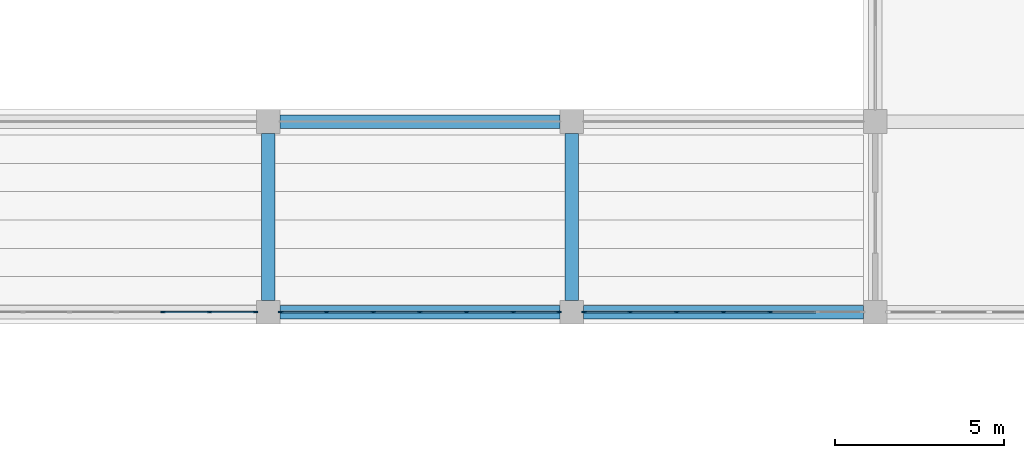
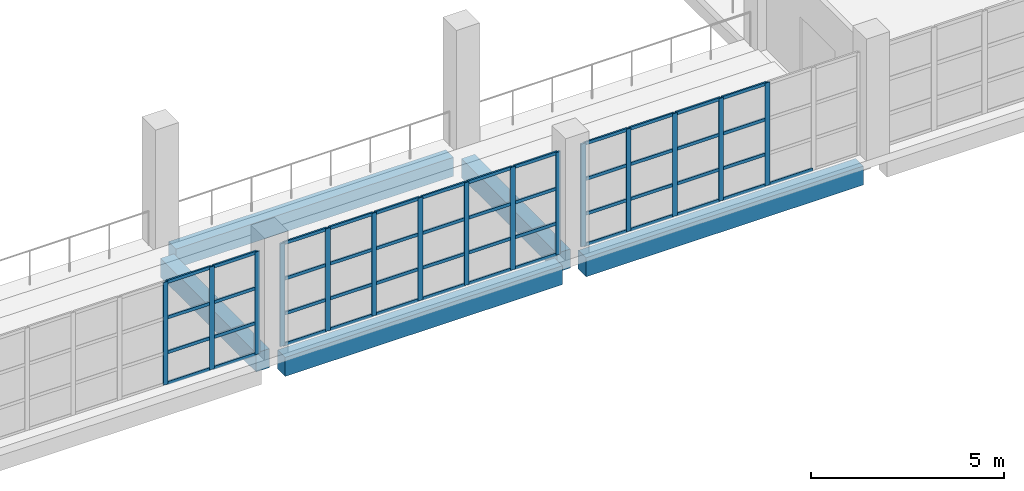
# One storey, part 5 of 36: 64 members, 5 beams, 3 elements without a shape of their own.
"""IFC4 building model written with IfcOpenShell, lengths in metres."""

from ifc_helpers import new_model, si_unit, direction, frame, origin, origin_2d, place, context, subcontext, project, spatial, rectangle, extrude, material, layer, layer_set, material_profile, profile_set, type_object, element, aggregate, save


model = new_model("IFC4")

# Units and contexts
model_context = context("Model", 3, precision=1e-05, world=origin(), true_north=direction((0.0, 1.0)))
body_context = subcontext(model_context, "Body", "Model", "MODEL_VIEW")
ifc_project = project(units=[si_unit("LENGTHUNIT", "METRE"), si_unit("AREAUNIT", "SQUARE_METRE"), si_unit("VOLUMEUNIT", "CUBIC_METRE"), si_unit("PLANEANGLEUNIT", "RADIAN"), si_unit("MASSUNIT", "GRAM", prefix="KILO")], contexts=[model_context])

# Site, building, storey
site_placement = place(None, origin())
site = spatial("IfcSite", under=ifc_project, at=site_placement, CompositionType="ELEMENT")
building_placement = place(site_placement, origin())
building = spatial("IfcBuilding", under=site, at=building_placement, Name="Corbel Stack Research Tower", CompositionType="ELEMENT")
storey_placement = place(building_placement, frame((0.0, 0.0, 7.199951171875)))
storey = spatial("IfcBuildingStorey", under=building, at=storey_placement, Name="L01", CompositionType="ELEMENT", Elevation=7.199951171875)

# Curtain wall, members
ifc_material_1 = material(Name="Aluminium", Category="aluminium")
ifc_layer = layer(ifc_material_1, 0.139892578125)
ifc_layer_set = layer_set([ifc_layer], Name="Aluminium")
curtain_wall_type = type_object("IfcCurtainWallType", Name="CW6 gallery curtain wall", PredefinedType="NOTDEFINED", material=ifc_layer_set)
curtain_wall_1_placement = place(storey_placement, origin())
curtain_wall_1 = element("IfcCurtainWall", 1, at=curtain_wall_1_placement, inside=storey, type_object=curtain_wall_type, Name="Gallery curtain wall L01 6", PredefinedType="NOTDEFINED")
ifc_material_2 = material(Name="Aluminium", Category="aluminium")
ifc_material_profile_1 = material_profile(ifc_material_2, rectangle(XDim=0.050048828125, YDim=0.139892578125, at=origin_2d()), Name="Mullion 50 x 140")
ifc_profile_set_1 = profile_set([ifc_material_profile_1], Name="Aluminium")
member_type_1 = type_object("IfcMemberType", Name="CW6 mullion 50 x 140", PredefinedType="MULLION", material=ifc_profile_set_1)
member_1_placement = place(storey_placement, frame((65.833251953125, -23.64990234375, 0.0), z_axis=(0.0, 0.0, 1.0), x_axis=(0.0, 1.0, 0.0)))
member_1 = element("IfcMember", 2, at=member_1_placement, type_object=member_type_1, Name="CW6 mullion 5", PredefinedType="MULLION", context=body_context, shape_type="SweptSolid", body=[
    extrude(rectangle(XDim=0.050048828125, YDim=0.139892578125, at=origin_2d()), origin(), (0.0, 0.0, 1.0), 3.25),
])
member_2_placement = place(storey_placement, frame((67.216552734375, -23.64990234375, 0.0), z_axis=(0.0, 0.0, 1.0), x_axis=(0.0, 1.0, 0.0)))
member_2 = element("IfcMember", 3, at=member_2_placement, type_object=member_type_1, Name="CW6 mullion 6", PredefinedType="MULLION", context=body_context, shape_type="SweptSolid", body=[
    extrude(rectangle(XDim=0.050048828125, YDim=0.139892578125, at=origin_2d()), origin(), (0.0, 0.0, 1.0), 3.25),
])
member_3_placement = place(storey_placement, frame((68.574951171875, -23.64990234375, 0.0), z_axis=(0.0, 0.0, 1.0), x_axis=(0.0, 1.0, 0.0)))
member_3 = element("IfcMember", 4, at=member_3_placement, type_object=member_type_1, Name="CW6 mullion 7", PredefinedType="MULLION", context=body_context, shape_type="SweptSolid", body=[
    extrude(rectangle(XDim=0.050048828125, YDim=0.139892578125, at=origin_2d()), origin(), (0.0, 0.0, 1.0), 3.25),
])

curtain_wall_2_placement = place(storey_placement, origin())
curtain_wall_2 = element("IfcCurtainWall", 5, at=curtain_wall_2_placement, inside=storey, type_object=curtain_wall_type, Name="Gallery curtain wall L01 7", PredefinedType="NOTDEFINED")
member_4_placement = place(storey_placement, frame((69.324951171875, -23.64990234375, 0.0), z_axis=(0.0, 0.0, 1.0), x_axis=(0.0, 1.0, 0.0)))
member_4 = element("IfcMember", 6, at=member_4_placement, type_object=member_type_1, Name="CW6 mullion 1", PredefinedType="MULLION", context=body_context, shape_type="SweptSolid", body=[
    extrude(rectangle(XDim=0.050048828125, YDim=0.139892578125, at=origin_2d()), origin(), (0.0, 0.0, 1.0), 3.25),
])
member_5_placement = place(storey_placement, frame((70.683349609375, -23.64990234375, 0.0), z_axis=(0.0, 0.0, 1.0), x_axis=(0.0, 1.0, 0.0)))
member_5 = element("IfcMember", 7, at=member_5_placement, type_object=member_type_1, Name="CW6 mullion 2", PredefinedType="MULLION", context=body_context, shape_type="SweptSolid", body=[
    extrude(rectangle(XDim=0.050048828125, YDim=0.139892578125, at=origin_2d()), origin(), (0.0, 0.0, 1.0), 3.25),
])
member_6_placement = place(storey_placement, frame((72.066650390625, -23.64990234375, 0.0), z_axis=(0.0, 0.0, 1.0), x_axis=(0.0, 1.0, 0.0)))
member_6 = element("IfcMember", 8, at=member_6_placement, type_object=member_type_1, Name="CW6 mullion 3", PredefinedType="MULLION", context=body_context, shape_type="SweptSolid", body=[
    extrude(rectangle(XDim=0.050048828125, YDim=0.139892578125, at=origin_2d()), origin(), (0.0, 0.0, 1.0), 3.25),
])
member_7_placement = place(storey_placement, frame((73.449951171875, -23.64990234375, 0.0), z_axis=(0.0, 0.0, 1.0), x_axis=(0.0, 1.0, 0.0)))
member_7 = element("IfcMember", 9, at=member_7_placement, type_object=member_type_1, Name="CW6 mullion 4", PredefinedType="MULLION", context=body_context, shape_type="SweptSolid", body=[
    extrude(rectangle(XDim=0.050048828125, YDim=0.139892578125, at=origin_2d()), origin(), (0.0, 0.0, 1.0), 3.25),
])
member_8_placement = place(storey_placement, frame((74.833251953125, -23.64990234375, 0.0), z_axis=(0.0, 0.0, 1.0), x_axis=(0.0, 1.0, 0.0)))
member_8 = element("IfcMember", 10, at=member_8_placement, type_object=member_type_1, Name="CW6 mullion 5", PredefinedType="MULLION", context=body_context, shape_type="SweptSolid", body=[
    extrude(rectangle(XDim=0.050048828125, YDim=0.139892578125, at=origin_2d()), origin(), (0.0, 0.0, 1.0), 3.25),
])
member_9_placement = place(storey_placement, frame((76.216552734375, -23.64990234375, 0.0), z_axis=(0.0, 0.0, 1.0), x_axis=(0.0, 1.0, 0.0)))
member_9 = element("IfcMember", 11, at=member_9_placement, type_object=member_type_1, Name="CW6 mullion 6", PredefinedType="MULLION", context=body_context, shape_type="SweptSolid", body=[
    extrude(rectangle(XDim=0.050048828125, YDim=0.139892578125, at=origin_2d()), origin(), (0.0, 0.0, 1.0), 3.25),
])
member_10_placement = place(storey_placement, frame((77.574951171875, -23.64990234375, 0.0), z_axis=(0.0, 0.0, 1.0), x_axis=(0.0, 1.0, 0.0)))
member_10 = element("IfcMember", 12, at=member_10_placement, type_object=member_type_1, Name="CW6 mullion 7", PredefinedType="MULLION", context=body_context, shape_type="SweptSolid", body=[
    extrude(rectangle(XDim=0.050048828125, YDim=0.139892578125, at=origin_2d()), origin(), (0.0, 0.0, 1.0), 3.25),
])

curtain_wall_3_placement = place(storey_placement, origin())
curtain_wall_3 = element("IfcCurtainWall", 13, at=curtain_wall_3_placement, inside=storey, type_object=curtain_wall_type, Name="Gallery curtain wall L01 8", PredefinedType="NOTDEFINED")
member_11_placement = place(storey_placement, frame((78.324951171875, -23.64990234375, 0.0), z_axis=(0.0, 0.0, 1.0), x_axis=(0.0, 1.0, 0.0)))
member_11 = element("IfcMember", 14, at=member_11_placement, type_object=member_type_1, Name="CW6 mullion 1", PredefinedType="MULLION", context=body_context, shape_type="SweptSolid", body=[
    extrude(rectangle(XDim=0.050048828125, YDim=0.139892578125, at=origin_2d()), origin(), (0.0, 0.0, 1.0), 3.25),
])
member_12_placement = place(storey_placement, frame((79.683349609375, -23.64990234375, 0.0), z_axis=(0.0, 0.0, 1.0), x_axis=(0.0, 1.0, 0.0)))
member_12 = element("IfcMember", 15, at=member_12_placement, type_object=member_type_1, Name="CW6 mullion 2", PredefinedType="MULLION", context=body_context, shape_type="SweptSolid", body=[
    extrude(rectangle(XDim=0.050048828125, YDim=0.139892578125, at=origin_2d()), origin(), (0.0, 0.0, 1.0), 3.25),
])
member_13_placement = place(storey_placement, frame((81.066650390625, -23.64990234375, 0.0), z_axis=(0.0, 0.0, 1.0), x_axis=(0.0, 1.0, 0.0)))
member_13 = element("IfcMember", 16, at=member_13_placement, type_object=member_type_1, Name="CW6 mullion 3", PredefinedType="MULLION", context=body_context, shape_type="SweptSolid", body=[
    extrude(rectangle(XDim=0.050048828125, YDim=0.139892578125, at=origin_2d()), origin(), (0.0, 0.0, 1.0), 3.25),
])
member_14_placement = place(storey_placement, frame((82.449951171875, -23.64990234375, 0.0), z_axis=(0.0, 0.0, 1.0), x_axis=(0.0, 1.0, 0.0)))
member_14 = element("IfcMember", 17, at=member_14_placement, type_object=member_type_1, Name="CW6 mullion 4", PredefinedType="MULLION", context=body_context, shape_type="SweptSolid", body=[
    extrude(rectangle(XDim=0.050048828125, YDim=0.139892578125, at=origin_2d()), origin(), (0.0, 0.0, 1.0), 3.25),
])
member_15_placement = place(storey_placement, frame((83.833251953125, -23.64990234375, 0.0), z_axis=(0.0, 0.0, 1.0), x_axis=(0.0, 1.0, 0.0)))
member_15 = element("IfcMember", 18, at=member_15_placement, type_object=member_type_1, Name="CW6 mullion 5", PredefinedType="MULLION", context=body_context, shape_type="SweptSolid", body=[
    extrude(rectangle(XDim=0.050048828125, YDim=0.139892578125, at=origin_2d()), origin(), (0.0, 0.0, 1.0), 3.25),
])

# Member
ifc_material_3 = material(Name="Aluminium", Category="aluminium")
ifc_material_profile_2 = material_profile(ifc_material_3, rectangle(XDim=0.050048828125, YDim=0.10009765625, at=origin_2d()), Name="Transom 50 x 100")
ifc_profile_set_2 = profile_set([ifc_material_profile_2], Name="Aluminium")
member_type_2 = type_object("IfcMemberType", Name="CW6 transom 50 x 100", PredefinedType="USERDEFINED", material=ifc_profile_set_2)
member_16_placement = place(storey_placement, frame((65.8583984375, -23.64990234375, 0.025146484375), z_axis=(1.0, 0.0, 0.0), x_axis=(0.0, 1.0, 0.0)))
member_16 = element("IfcMember", 19, at=member_16_placement, type_object=member_type_2, Name="CW6 transom 5.1", ObjectType="TRANSOM", PredefinedType="USERDEFINED", context=body_context, shape_type="SweptSolid", body=[
    extrude(rectangle(XDim=0.050048828125, YDim=0.10009765625, at=origin_2d()), origin(), (0.0, 0.0, 1.0), 1.333251953125),
])

member_17_placement = place(storey_placement, frame((65.8583984375, -23.64990234375, 1.0), z_axis=(1.0, 0.0, 0.0), x_axis=(0.0, 1.0, 0.0)))
member_17 = element("IfcMember", 20, at=member_17_placement, type_object=member_type_2, Name="CW6 transom 5.2", ObjectType="TRANSOM", PredefinedType="USERDEFINED", context=body_context, shape_type="SweptSolid", body=[
    extrude(rectangle(XDim=0.050048828125, YDim=0.10009765625, at=origin_2d()), origin(), (0.0, 0.0, 1.0), 1.333251953125),
])

member_18_placement = place(storey_placement, frame((65.8583984375, -23.64990234375, 2.10009765625), z_axis=(1.0, 0.0, 0.0), x_axis=(0.0, 1.0, 0.0)))
member_18 = element("IfcMember", 21, at=member_18_placement, type_object=member_type_2, Name="CW6 transom 5.3", ObjectType="TRANSOM", PredefinedType="USERDEFINED", context=body_context, shape_type="SweptSolid", body=[
    extrude(rectangle(XDim=0.050048828125, YDim=0.10009765625, at=origin_2d()), origin(), (0.0, 0.0, 1.0), 1.333251953125),
])

member_19_placement = place(storey_placement, frame((65.8583984375, -23.64990234375, 3.22509765625), z_axis=(1.0, 0.0, 0.0), x_axis=(0.0, 1.0, 0.0)))
member_19 = element("IfcMember", 22, at=member_19_placement, type_object=member_type_2, Name="CW6 transom 5.4", ObjectType="TRANSOM", PredefinedType="USERDEFINED", context=body_context, shape_type="SweptSolid", body=[
    extrude(rectangle(XDim=0.050048828125, YDim=0.10009765625, at=origin_2d()), origin(), (0.0, 0.0, 1.0), 1.333251953125),
])

member_20_placement = place(storey_placement, frame((67.24169921875, -23.64990234375, 0.025146484375), z_axis=(1.0, 0.0, 0.0), x_axis=(0.0, 1.0, 0.0)))
member_20 = element("IfcMember", 23, at=member_20_placement, type_object=member_type_2, Name="CW6 transom 6.1", ObjectType="TRANSOM", PredefinedType="USERDEFINED", context=body_context, shape_type="SweptSolid", body=[
    extrude(rectangle(XDim=0.050048828125, YDim=0.10009765625, at=origin_2d()), origin(), (0.0, 0.0, 1.0), 1.308349609375),
])

member_21_placement = place(storey_placement, frame((67.24169921875, -23.64990234375, 1.0), z_axis=(1.0, 0.0, 0.0), x_axis=(0.0, 1.0, 0.0)))
member_21 = element("IfcMember", 24, at=member_21_placement, type_object=member_type_2, Name="CW6 transom 6.2", ObjectType="TRANSOM", PredefinedType="USERDEFINED", context=body_context, shape_type="SweptSolid", body=[
    extrude(rectangle(XDim=0.050048828125, YDim=0.10009765625, at=origin_2d()), origin(), (0.0, 0.0, 1.0), 1.308349609375),
])

member_22_placement = place(storey_placement, frame((67.24169921875, -23.64990234375, 2.10009765625), z_axis=(1.0, 0.0, 0.0), x_axis=(0.0, 1.0, 0.0)))
member_22 = element("IfcMember", 25, at=member_22_placement, type_object=member_type_2, Name="CW6 transom 6.3", ObjectType="TRANSOM", PredefinedType="USERDEFINED", context=body_context, shape_type="SweptSolid", body=[
    extrude(rectangle(XDim=0.050048828125, YDim=0.10009765625, at=origin_2d()), origin(), (0.0, 0.0, 1.0), 1.308349609375),
])

member_23_placement = place(storey_placement, frame((67.24169921875, -23.64990234375, 3.22509765625), z_axis=(1.0, 0.0, 0.0), x_axis=(0.0, 1.0, 0.0)))
member_23 = element("IfcMember", 26, at=member_23_placement, type_object=member_type_2, Name="CW6 transom 6.4", ObjectType="TRANSOM", PredefinedType="USERDEFINED", context=body_context, shape_type="SweptSolid", body=[
    extrude(rectangle(XDim=0.050048828125, YDim=0.10009765625, at=origin_2d()), origin(), (0.0, 0.0, 1.0), 1.308349609375),
])

aggregate(curtain_wall_1, [member_1, member_2, member_3, member_16, member_17, member_18, member_19, member_20, member_21, member_22, member_23])

member_24_placement = place(storey_placement, frame((69.35009765625, -23.64990234375, 0.025146484375), z_axis=(1.0, 0.0, 0.0), x_axis=(0.0, 1.0, 0.0)))
member_24 = element("IfcMember", 27, at=member_24_placement, type_object=member_type_2, Name="CW6 transom 1.1", ObjectType="TRANSOM", PredefinedType="USERDEFINED", context=body_context, shape_type="SweptSolid", body=[
    extrude(rectangle(XDim=0.050048828125, YDim=0.10009765625, at=origin_2d()), origin(), (0.0, 0.0, 1.0), 1.308349609375),
])

member_25_placement = place(storey_placement, frame((69.35009765625, -23.64990234375, 1.0), z_axis=(1.0, 0.0, 0.0), x_axis=(0.0, 1.0, 0.0)))
member_25 = element("IfcMember", 28, at=member_25_placement, type_object=member_type_2, Name="CW6 transom 1.2", ObjectType="TRANSOM", PredefinedType="USERDEFINED", context=body_context, shape_type="SweptSolid", body=[
    extrude(rectangle(XDim=0.050048828125, YDim=0.10009765625, at=origin_2d()), origin(), (0.0, 0.0, 1.0), 1.308349609375),
])

member_26_placement = place(storey_placement, frame((69.35009765625, -23.64990234375, 2.10009765625), z_axis=(1.0, 0.0, 0.0), x_axis=(0.0, 1.0, 0.0)))
member_26 = element("IfcMember", 29, at=member_26_placement, type_object=member_type_2, Name="CW6 transom 1.3", ObjectType="TRANSOM", PredefinedType="USERDEFINED", context=body_context, shape_type="SweptSolid", body=[
    extrude(rectangle(XDim=0.050048828125, YDim=0.10009765625, at=origin_2d()), origin(), (0.0, 0.0, 1.0), 1.308349609375),
])

member_27_placement = place(storey_placement, frame((69.35009765625, -23.64990234375, 3.22509765625), z_axis=(1.0, 0.0, 0.0), x_axis=(0.0, 1.0, 0.0)))
member_27 = element("IfcMember", 30, at=member_27_placement, type_object=member_type_2, Name="CW6 transom 1.4", ObjectType="TRANSOM", PredefinedType="USERDEFINED", context=body_context, shape_type="SweptSolid", body=[
    extrude(rectangle(XDim=0.050048828125, YDim=0.10009765625, at=origin_2d()), origin(), (0.0, 0.0, 1.0), 1.308349609375),
])

member_28_placement = place(storey_placement, frame((70.708251953125, -23.64990234375, 0.025146484375), z_axis=(1.0, 0.0, 0.0), x_axis=(0.0, 1.0, 0.0)))
member_28 = element("IfcMember", 31, at=member_28_placement, type_object=member_type_2, Name="CW6 transom 2.1", ObjectType="TRANSOM", PredefinedType="USERDEFINED", context=body_context, shape_type="SweptSolid", body=[
    extrude(rectangle(XDim=0.050048828125, YDim=0.10009765625, at=origin_2d()), origin(), (0.0, 0.0, 1.0), 1.33349609375),
])

member_29_placement = place(storey_placement, frame((70.708251953125, -23.64990234375, 1.0), z_axis=(1.0, 0.0, 0.0), x_axis=(0.0, 1.0, 0.0)))
member_29 = element("IfcMember", 32, at=member_29_placement, type_object=member_type_2, Name="CW6 transom 2.2", ObjectType="TRANSOM", PredefinedType="USERDEFINED", context=body_context, shape_type="SweptSolid", body=[
    extrude(rectangle(XDim=0.050048828125, YDim=0.10009765625, at=origin_2d()), origin(), (0.0, 0.0, 1.0), 1.33349609375),
])

member_30_placement = place(storey_placement, frame((70.708251953125, -23.64990234375, 2.10009765625), z_axis=(1.0, 0.0, 0.0), x_axis=(0.0, 1.0, 0.0)))
member_30 = element("IfcMember", 33, at=member_30_placement, type_object=member_type_2, Name="CW6 transom 2.3", ObjectType="TRANSOM", PredefinedType="USERDEFINED", context=body_context, shape_type="SweptSolid", body=[
    extrude(rectangle(XDim=0.050048828125, YDim=0.10009765625, at=origin_2d()), origin(), (0.0, 0.0, 1.0), 1.33349609375),
])

member_31_placement = place(storey_placement, frame((70.708251953125, -23.64990234375, 3.22509765625), z_axis=(1.0, 0.0, 0.0), x_axis=(0.0, 1.0, 0.0)))
member_31 = element("IfcMember", 34, at=member_31_placement, type_object=member_type_2, Name="CW6 transom 2.4", ObjectType="TRANSOM", PredefinedType="USERDEFINED", context=body_context, shape_type="SweptSolid", body=[
    extrude(rectangle(XDim=0.050048828125, YDim=0.10009765625, at=origin_2d()), origin(), (0.0, 0.0, 1.0), 1.33349609375),
])

member_32_placement = place(storey_placement, frame((72.091552734375, -23.64990234375, 0.025146484375), z_axis=(1.0, 0.0, 0.0), x_axis=(0.0, 1.0, 0.0)))
member_32 = element("IfcMember", 35, at=member_32_placement, type_object=member_type_2, Name="CW6 transom 3.1", ObjectType="TRANSOM", PredefinedType="USERDEFINED", context=body_context, shape_type="SweptSolid", body=[
    extrude(rectangle(XDim=0.050048828125, YDim=0.10009765625, at=origin_2d()), origin(), (0.0, 0.0, 1.0), 1.33349609375),
])

member_33_placement = place(storey_placement, frame((72.091552734375, -23.64990234375, 1.0), z_axis=(1.0, 0.0, 0.0), x_axis=(0.0, 1.0, 0.0)))
member_33 = element("IfcMember", 36, at=member_33_placement, type_object=member_type_2, Name="CW6 transom 3.2", ObjectType="TRANSOM", PredefinedType="USERDEFINED", context=body_context, shape_type="SweptSolid", body=[
    extrude(rectangle(XDim=0.050048828125, YDim=0.10009765625, at=origin_2d()), origin(), (0.0, 0.0, 1.0), 1.33349609375),
])

member_34_placement = place(storey_placement, frame((72.091552734375, -23.64990234375, 2.10009765625), z_axis=(1.0, 0.0, 0.0), x_axis=(0.0, 1.0, 0.0)))
member_34 = element("IfcMember", 37, at=member_34_placement, type_object=member_type_2, Name="CW6 transom 3.3", ObjectType="TRANSOM", PredefinedType="USERDEFINED", context=body_context, shape_type="SweptSolid", body=[
    extrude(rectangle(XDim=0.050048828125, YDim=0.10009765625, at=origin_2d()), origin(), (0.0, 0.0, 1.0), 1.33349609375),
])

member_35_placement = place(storey_placement, frame((72.091552734375, -23.64990234375, 3.22509765625), z_axis=(1.0, 0.0, 0.0), x_axis=(0.0, 1.0, 0.0)))
member_35 = element("IfcMember", 38, at=member_35_placement, type_object=member_type_2, Name="CW6 transom 3.4", ObjectType="TRANSOM", PredefinedType="USERDEFINED", context=body_context, shape_type="SweptSolid", body=[
    extrude(rectangle(XDim=0.050048828125, YDim=0.10009765625, at=origin_2d()), origin(), (0.0, 0.0, 1.0), 1.33349609375),
])

member_36_placement = place(storey_placement, frame((73.47509765625, -23.64990234375, 0.025146484375), z_axis=(1.0, 0.0, 0.0), x_axis=(0.0, 1.0, 0.0)))
member_36 = element("IfcMember", 39, at=member_36_placement, type_object=member_type_2, Name="CW6 transom 4.1", ObjectType="TRANSOM", PredefinedType="USERDEFINED", context=body_context, shape_type="SweptSolid", body=[
    extrude(rectangle(XDim=0.050048828125, YDim=0.10009765625, at=origin_2d()), origin(), (0.0, 0.0, 1.0), 1.333251953125),
])

member_37_placement = place(storey_placement, frame((73.47509765625, -23.64990234375, 1.0), z_axis=(1.0, 0.0, 0.0), x_axis=(0.0, 1.0, 0.0)))
member_37 = element("IfcMember", 40, at=member_37_placement, type_object=member_type_2, Name="CW6 transom 4.2", ObjectType="TRANSOM", PredefinedType="USERDEFINED", context=body_context, shape_type="SweptSolid", body=[
    extrude(rectangle(XDim=0.050048828125, YDim=0.10009765625, at=origin_2d()), origin(), (0.0, 0.0, 1.0), 1.333251953125),
])

member_38_placement = place(storey_placement, frame((73.47509765625, -23.64990234375, 2.10009765625), z_axis=(1.0, 0.0, 0.0), x_axis=(0.0, 1.0, 0.0)))
member_38 = element("IfcMember", 41, at=member_38_placement, type_object=member_type_2, Name="CW6 transom 4.3", ObjectType="TRANSOM", PredefinedType="USERDEFINED", context=body_context, shape_type="SweptSolid", body=[
    extrude(rectangle(XDim=0.050048828125, YDim=0.10009765625, at=origin_2d()), origin(), (0.0, 0.0, 1.0), 1.333251953125),
])

member_39_placement = place(storey_placement, frame((73.47509765625, -23.64990234375, 3.22509765625), z_axis=(1.0, 0.0, 0.0), x_axis=(0.0, 1.0, 0.0)))
member_39 = element("IfcMember", 42, at=member_39_placement, type_object=member_type_2, Name="CW6 transom 4.4", ObjectType="TRANSOM", PredefinedType="USERDEFINED", context=body_context, shape_type="SweptSolid", body=[
    extrude(rectangle(XDim=0.050048828125, YDim=0.10009765625, at=origin_2d()), origin(), (0.0, 0.0, 1.0), 1.333251953125),
])

member_40_placement = place(storey_placement, frame((74.8583984375, -23.64990234375, 0.025146484375), z_axis=(1.0, 0.0, 0.0), x_axis=(0.0, 1.0, 0.0)))
member_40 = element("IfcMember", 43, at=member_40_placement, type_object=member_type_2, Name="CW6 transom 5.1", ObjectType="TRANSOM", PredefinedType="USERDEFINED", context=body_context, shape_type="SweptSolid", body=[
    extrude(rectangle(XDim=0.050048828125, YDim=0.10009765625, at=origin_2d()), origin(), (0.0, 0.0, 1.0), 1.333251953125),
])

member_41_placement = place(storey_placement, frame((74.8583984375, -23.64990234375, 1.0), z_axis=(1.0, 0.0, 0.0), x_axis=(0.0, 1.0, 0.0)))
member_41 = element("IfcMember", 44, at=member_41_placement, type_object=member_type_2, Name="CW6 transom 5.2", ObjectType="TRANSOM", PredefinedType="USERDEFINED", context=body_context, shape_type="SweptSolid", body=[
    extrude(rectangle(XDim=0.050048828125, YDim=0.10009765625, at=origin_2d()), origin(), (0.0, 0.0, 1.0), 1.333251953125),
])

member_42_placement = place(storey_placement, frame((74.8583984375, -23.64990234375, 2.10009765625), z_axis=(1.0, 0.0, 0.0), x_axis=(0.0, 1.0, 0.0)))
member_42 = element("IfcMember", 45, at=member_42_placement, type_object=member_type_2, Name="CW6 transom 5.3", ObjectType="TRANSOM", PredefinedType="USERDEFINED", context=body_context, shape_type="SweptSolid", body=[
    extrude(rectangle(XDim=0.050048828125, YDim=0.10009765625, at=origin_2d()), origin(), (0.0, 0.0, 1.0), 1.333251953125),
])

member_43_placement = place(storey_placement, frame((74.8583984375, -23.64990234375, 3.22509765625), z_axis=(1.0, 0.0, 0.0), x_axis=(0.0, 1.0, 0.0)))
member_43 = element("IfcMember", 46, at=member_43_placement, type_object=member_type_2, Name="CW6 transom 5.4", ObjectType="TRANSOM", PredefinedType="USERDEFINED", context=body_context, shape_type="SweptSolid", body=[
    extrude(rectangle(XDim=0.050048828125, YDim=0.10009765625, at=origin_2d()), origin(), (0.0, 0.0, 1.0), 1.333251953125),
])

member_44_placement = place(storey_placement, frame((76.24169921875, -23.64990234375, 0.025146484375), z_axis=(1.0, 0.0, 0.0), x_axis=(0.0, 1.0, 0.0)))
member_44 = element("IfcMember", 47, at=member_44_placement, type_object=member_type_2, Name="CW6 transom 6.1", ObjectType="TRANSOM", PredefinedType="USERDEFINED", context=body_context, shape_type="SweptSolid", body=[
    extrude(rectangle(XDim=0.050048828125, YDim=0.10009765625, at=origin_2d()), origin(), (0.0, 0.0, 1.0), 1.308349609375),
])

member_45_placement = place(storey_placement, frame((76.24169921875, -23.64990234375, 1.0), z_axis=(1.0, 0.0, 0.0), x_axis=(0.0, 1.0, 0.0)))
member_45 = element("IfcMember", 48, at=member_45_placement, type_object=member_type_2, Name="CW6 transom 6.2", ObjectType="TRANSOM", PredefinedType="USERDEFINED", context=body_context, shape_type="SweptSolid", body=[
    extrude(rectangle(XDim=0.050048828125, YDim=0.10009765625, at=origin_2d()), origin(), (0.0, 0.0, 1.0), 1.308349609375),
])

member_46_placement = place(storey_placement, frame((76.24169921875, -23.64990234375, 2.10009765625), z_axis=(1.0, 0.0, 0.0), x_axis=(0.0, 1.0, 0.0)))
member_46 = element("IfcMember", 49, at=member_46_placement, type_object=member_type_2, Name="CW6 transom 6.3", ObjectType="TRANSOM", PredefinedType="USERDEFINED", context=body_context, shape_type="SweptSolid", body=[
    extrude(rectangle(XDim=0.050048828125, YDim=0.10009765625, at=origin_2d()), origin(), (0.0, 0.0, 1.0), 1.308349609375),
])

member_47_placement = place(storey_placement, frame((76.24169921875, -23.64990234375, 3.22509765625), z_axis=(1.0, 0.0, 0.0), x_axis=(0.0, 1.0, 0.0)))
member_47 = element("IfcMember", 50, at=member_47_placement, type_object=member_type_2, Name="CW6 transom 6.4", ObjectType="TRANSOM", PredefinedType="USERDEFINED", context=body_context, shape_type="SweptSolid", body=[
    extrude(rectangle(XDim=0.050048828125, YDim=0.10009765625, at=origin_2d()), origin(), (0.0, 0.0, 1.0), 1.308349609375),
])

aggregate(curtain_wall_2, [member_4, member_5, member_6, member_7, member_8, member_9, member_10, member_24, member_25, member_26, member_27, member_28, member_29, member_30, member_31, member_32, member_33, member_34, member_35, member_36, member_37, member_38, member_39, member_40, member_41, member_42, member_43, member_44, member_45, member_46, member_47])

member_48_placement = place(storey_placement, frame((78.35009765625, -23.64990234375, 0.025146484375), z_axis=(1.0, 0.0, 0.0), x_axis=(0.0, 1.0, 0.0)))
member_48 = element("IfcMember", 51, at=member_48_placement, type_object=member_type_2, Name="CW6 transom 1.1", ObjectType="TRANSOM", PredefinedType="USERDEFINED", context=body_context, shape_type="SweptSolid", body=[
    extrude(rectangle(XDim=0.050048828125, YDim=0.10009765625, at=origin_2d()), origin(), (0.0, 0.0, 1.0), 1.308349609375),
])

member_49_placement = place(storey_placement, frame((78.35009765625, -23.64990234375, 1.0), z_axis=(1.0, 0.0, 0.0), x_axis=(0.0, 1.0, 0.0)))
member_49 = element("IfcMember", 52, at=member_49_placement, type_object=member_type_2, Name="CW6 transom 1.2", ObjectType="TRANSOM", PredefinedType="USERDEFINED", context=body_context, shape_type="SweptSolid", body=[
    extrude(rectangle(XDim=0.050048828125, YDim=0.10009765625, at=origin_2d()), origin(), (0.0, 0.0, 1.0), 1.308349609375),
])

member_50_placement = place(storey_placement, frame((78.35009765625, -23.64990234375, 2.10009765625), z_axis=(1.0, 0.0, 0.0), x_axis=(0.0, 1.0, 0.0)))
member_50 = element("IfcMember", 53, at=member_50_placement, type_object=member_type_2, Name="CW6 transom 1.3", ObjectType="TRANSOM", PredefinedType="USERDEFINED", context=body_context, shape_type="SweptSolid", body=[
    extrude(rectangle(XDim=0.050048828125, YDim=0.10009765625, at=origin_2d()), origin(), (0.0, 0.0, 1.0), 1.308349609375),
])

member_51_placement = place(storey_placement, frame((78.35009765625, -23.64990234375, 3.22509765625), z_axis=(1.0, 0.0, 0.0), x_axis=(0.0, 1.0, 0.0)))
member_51 = element("IfcMember", 54, at=member_51_placement, type_object=member_type_2, Name="CW6 transom 1.4", ObjectType="TRANSOM", PredefinedType="USERDEFINED", context=body_context, shape_type="SweptSolid", body=[
    extrude(rectangle(XDim=0.050048828125, YDim=0.10009765625, at=origin_2d()), origin(), (0.0, 0.0, 1.0), 1.308349609375),
])

member_52_placement = place(storey_placement, frame((79.708251953125, -23.64990234375, 0.025146484375), z_axis=(1.0, 0.0, 0.0), x_axis=(0.0, 1.0, 0.0)))
member_52 = element("IfcMember", 55, at=member_52_placement, type_object=member_type_2, Name="CW6 transom 2.1", ObjectType="TRANSOM", PredefinedType="USERDEFINED", context=body_context, shape_type="SweptSolid", body=[
    extrude(rectangle(XDim=0.050048828125, YDim=0.10009765625, at=origin_2d()), origin(), (0.0, 0.0, 1.0), 1.33349609375),
])

member_53_placement = place(storey_placement, frame((79.708251953125, -23.64990234375, 1.0), z_axis=(1.0, 0.0, 0.0), x_axis=(0.0, 1.0, 0.0)))
member_53 = element("IfcMember", 56, at=member_53_placement, type_object=member_type_2, Name="CW6 transom 2.2", ObjectType="TRANSOM", PredefinedType="USERDEFINED", context=body_context, shape_type="SweptSolid", body=[
    extrude(rectangle(XDim=0.050048828125, YDim=0.10009765625, at=origin_2d()), origin(), (0.0, 0.0, 1.0), 1.33349609375),
])

member_54_placement = place(storey_placement, frame((79.708251953125, -23.64990234375, 2.10009765625), z_axis=(1.0, 0.0, 0.0), x_axis=(0.0, 1.0, 0.0)))
member_54 = element("IfcMember", 57, at=member_54_placement, type_object=member_type_2, Name="CW6 transom 2.3", ObjectType="TRANSOM", PredefinedType="USERDEFINED", context=body_context, shape_type="SweptSolid", body=[
    extrude(rectangle(XDim=0.050048828125, YDim=0.10009765625, at=origin_2d()), origin(), (0.0, 0.0, 1.0), 1.33349609375),
])

member_55_placement = place(storey_placement, frame((79.708251953125, -23.64990234375, 3.22509765625), z_axis=(1.0, 0.0, 0.0), x_axis=(0.0, 1.0, 0.0)))
member_55 = element("IfcMember", 58, at=member_55_placement, type_object=member_type_2, Name="CW6 transom 2.4", ObjectType="TRANSOM", PredefinedType="USERDEFINED", context=body_context, shape_type="SweptSolid", body=[
    extrude(rectangle(XDim=0.050048828125, YDim=0.10009765625, at=origin_2d()), origin(), (0.0, 0.0, 1.0), 1.33349609375),
])

member_56_placement = place(storey_placement, frame((81.091552734375, -23.64990234375, 0.025146484375), z_axis=(1.0, 0.0, 0.0), x_axis=(0.0, 1.0, 0.0)))
member_56 = element("IfcMember", 59, at=member_56_placement, type_object=member_type_2, Name="CW6 transom 3.1", ObjectType="TRANSOM", PredefinedType="USERDEFINED", context=body_context, shape_type="SweptSolid", body=[
    extrude(rectangle(XDim=0.050048828125, YDim=0.10009765625, at=origin_2d()), origin(), (0.0, 0.0, 1.0), 1.33349609375),
])

member_57_placement = place(storey_placement, frame((81.091552734375, -23.64990234375, 1.0), z_axis=(1.0, 0.0, 0.0), x_axis=(0.0, 1.0, 0.0)))
member_57 = element("IfcMember", 60, at=member_57_placement, type_object=member_type_2, Name="CW6 transom 3.2", ObjectType="TRANSOM", PredefinedType="USERDEFINED", context=body_context, shape_type="SweptSolid", body=[
    extrude(rectangle(XDim=0.050048828125, YDim=0.10009765625, at=origin_2d()), origin(), (0.0, 0.0, 1.0), 1.33349609375),
])

member_58_placement = place(storey_placement, frame((81.091552734375, -23.64990234375, 2.10009765625), z_axis=(1.0, 0.0, 0.0), x_axis=(0.0, 1.0, 0.0)))
member_58 = element("IfcMember", 61, at=member_58_placement, type_object=member_type_2, Name="CW6 transom 3.3", ObjectType="TRANSOM", PredefinedType="USERDEFINED", context=body_context, shape_type="SweptSolid", body=[
    extrude(rectangle(XDim=0.050048828125, YDim=0.10009765625, at=origin_2d()), origin(), (0.0, 0.0, 1.0), 1.33349609375),
])

member_59_placement = place(storey_placement, frame((81.091552734375, -23.64990234375, 3.22509765625), z_axis=(1.0, 0.0, 0.0), x_axis=(0.0, 1.0, 0.0)))
member_59 = element("IfcMember", 62, at=member_59_placement, type_object=member_type_2, Name="CW6 transom 3.4", ObjectType="TRANSOM", PredefinedType="USERDEFINED", context=body_context, shape_type="SweptSolid", body=[
    extrude(rectangle(XDim=0.050048828125, YDim=0.10009765625, at=origin_2d()), origin(), (0.0, 0.0, 1.0), 1.33349609375),
])

member_60_placement = place(storey_placement, frame((82.47509765625, -23.64990234375, 0.025146484375), z_axis=(1.0, 0.0, 0.0), x_axis=(0.0, 1.0, 0.0)))
member_60 = element("IfcMember", 63, at=member_60_placement, type_object=member_type_2, Name="CW6 transom 4.1", ObjectType="TRANSOM", PredefinedType="USERDEFINED", context=body_context, shape_type="SweptSolid", body=[
    extrude(rectangle(XDim=0.050048828125, YDim=0.10009765625, at=origin_2d()), origin(), (0.0, 0.0, 1.0), 1.333251953125),
])

member_61_placement = place(storey_placement, frame((82.47509765625, -23.64990234375, 1.0), z_axis=(1.0, 0.0, 0.0), x_axis=(0.0, 1.0, 0.0)))
member_61 = element("IfcMember", 64, at=member_61_placement, type_object=member_type_2, Name="CW6 transom 4.2", ObjectType="TRANSOM", PredefinedType="USERDEFINED", context=body_context, shape_type="SweptSolid", body=[
    extrude(rectangle(XDim=0.050048828125, YDim=0.10009765625, at=origin_2d()), origin(), (0.0, 0.0, 1.0), 1.333251953125),
])

member_62_placement = place(storey_placement, frame((82.47509765625, -23.64990234375, 2.10009765625), z_axis=(1.0, 0.0, 0.0), x_axis=(0.0, 1.0, 0.0)))
member_62 = element("IfcMember", 65, at=member_62_placement, type_object=member_type_2, Name="CW6 transom 4.3", ObjectType="TRANSOM", PredefinedType="USERDEFINED", context=body_context, shape_type="SweptSolid", body=[
    extrude(rectangle(XDim=0.050048828125, YDim=0.10009765625, at=origin_2d()), origin(), (0.0, 0.0, 1.0), 1.333251953125),
])

member_63_placement = place(storey_placement, frame((82.47509765625, -23.64990234375, 3.22509765625), z_axis=(1.0, 0.0, 0.0), x_axis=(0.0, 1.0, 0.0)))
member_63 = element("IfcMember", 66, at=member_63_placement, type_object=member_type_2, Name="CW6 transom 4.4", ObjectType="TRANSOM", PredefinedType="USERDEFINED", context=body_context, shape_type="SweptSolid", body=[
    extrude(rectangle(XDim=0.050048828125, YDim=0.10009765625, at=origin_2d()), origin(), (0.0, 0.0, 1.0), 1.333251953125),
])

member_64_placement = place(storey_placement, frame((83.8583984375, -23.64990234375, 0.025146484375), z_axis=(1.0, 0.0, 0.0), x_axis=(0.0, 1.0, 0.0)))
member_64 = element("IfcMember", 67, at=member_64_placement, type_object=member_type_2, Name="CW6 transom 5.1", ObjectType="TRANSOM", PredefinedType="USERDEFINED", context=body_context, shape_type="SweptSolid", body=[
    extrude(rectangle(XDim=0.050048828125, YDim=0.10009765625, at=origin_2d()), origin(), (0.0, 0.0, 1.0), 1.333251953125),
])

aggregate(curtain_wall_3, [member_11, member_12, member_13, member_14, member_15, member_48, member_49, member_50, member_51, member_52, member_53, member_54, member_55, member_56, member_57, member_58, member_59, member_60, member_61, member_62, member_63, member_64])

# Beams
ifc_material_4 = material(Name="Concrete C40/50", Category="concrete")
ifc_material_profile_3 = material_profile(ifc_material_4, rectangle(XDim=0.39990234375, YDim=0.60009765625, at=origin_2d()), Name="RC 400 x 600")
ifc_profile_set_3 = profile_set([ifc_material_profile_3], Name="Concrete C40/50")
beam_type = type_object("IfcBeamType", Name="HB1 RC beam 400 x 600", PredefinedType="BEAM", material=ifc_profile_set_3)
beam_1_placement = place(storey_placement, frame((69.300048828125, -23.64990234375, -0.550048828125), z_axis=(1.0, 0.0, 0.0), x_axis=(0.0, 1.0, 0.0)))
element("IfcBeam", 68, at=beam_1_placement, inside=storey, type_object=beam_type, Name="Floor beam L01 H5HA-H6HA", PredefinedType="BEAM", context=body_context, shape_type="SweptSolid", body=[
    extrude(rectangle(XDim=0.39990234375, YDim=0.60009765625, at=origin_2d()), origin(), (0.0, 0.0, 1.0), 8.300048828125),
])
beam_2_placement = place(storey_placement, frame((68.949951171875, -23.300048828125, -0.550048828125), z_axis=(0.0, 1.0, 0.0), x_axis=(-1.0, 0.0, 0.0)))
element("IfcBeam", 69, at=beam_2_placement, inside=storey, type_object=beam_type, Name="Floor beam L01 H5HA-H5HB", PredefinedType="BEAM", context=body_context, shape_type="SweptSolid", body=[
    extrude(rectangle(XDim=0.39990234375, YDim=0.60009765625, at=origin_2d()), origin(), (0.0, 0.0, 1.0), 4.949951171875),
])
for number, where, z_axis, x_axis, name in (
    (70, (69.300048828125, -18.0, -0.550048828125), (1.0, 0.0, 0.0), (0.0, 1.0, 0.0), "Floor beam L01 H5HB-H6HB"),
    (71, (78.300048828125, -23.64990234375, -0.550048828125), (1.0, 0.0, 0.0), (0.0, 1.0, 0.0), "Floor beam L01 H6HA-H7HA"),
):
    element("IfcBeam", number, at=place(storey_placement, frame(where, z_axis=z_axis, x_axis=x_axis)), inside=storey, type_object=beam_type, Name=name, PredefinedType="BEAM", context=body_context, shape_type="SweptSolid", body=[
        extrude(rectangle(XDim=0.39990234375, YDim=0.60009765625, at=origin_2d()), origin(), (0.0, 0.0, 1.0), 8.300048828125),
    ])
beam_3_placement = place(storey_placement, frame((77.949951171875, -23.300048828125, -0.550048828125), z_axis=(0.0, 1.0, 0.0), x_axis=(-1.0, 0.0, 0.0)))
element("IfcBeam", 72, at=beam_3_placement, inside=storey, type_object=beam_type, Name="Floor beam L01 H6HA-H6HB", PredefinedType="BEAM", context=body_context, shape_type="SweptSolid", body=[
    extrude(rectangle(XDim=0.39990234375, YDim=0.60009765625, at=origin_2d()), origin(), (0.0, 0.0, 1.0), 4.949951171875),
])

save(model, "model.ifc")
